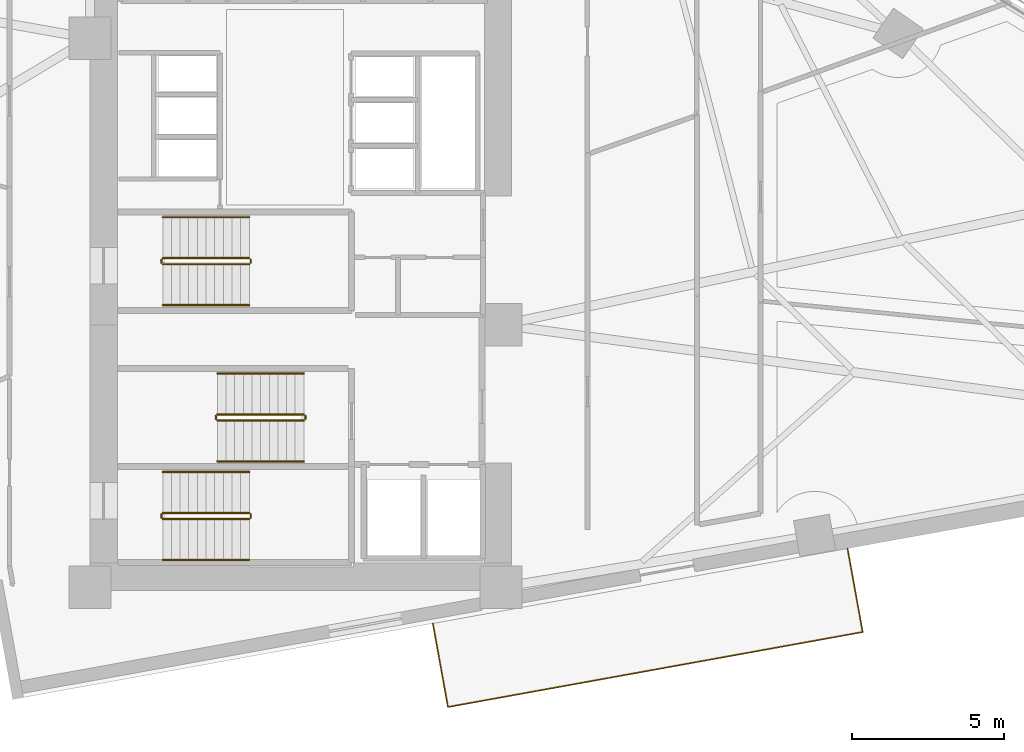
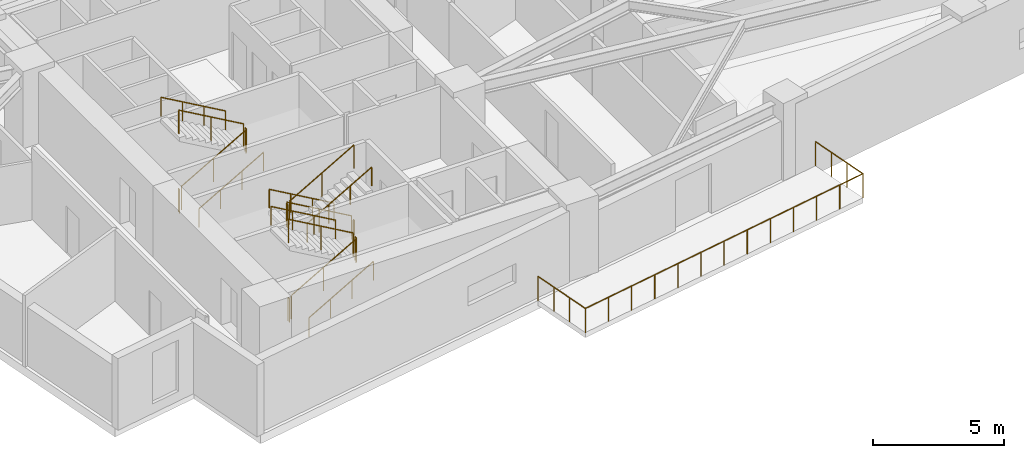
# One storey, part 17 of 18: 19 railings.
"""IFC4 building model written with IfcOpenShell, lengths in metres."""

from ifc_helpers import new_model, si_unit, direction, frame, origin, origin_2d, place, context, subcontext, project, spatial, circle, extrude, material, type_object, element, save


model = new_model("IFC4")

# Units and contexts
model_context = context("Model", 3, precision=1e-05, world=origin(), true_north=direction((0.0, 1.0)))
body_context = subcontext(model_context, "Body", "Model", "MODEL_VIEW")
ifc_project = project(units=[si_unit("LENGTHUNIT", "METRE"), si_unit("AREAUNIT", "SQUARE_METRE"), si_unit("VOLUMEUNIT", "CUBIC_METRE"), si_unit("PLANEANGLEUNIT", "RADIAN"), si_unit("MASSUNIT", "GRAM", prefix="KILO")], contexts=[model_context])

# Site, building, storey
site_placement = place(None, origin())
site = spatial("IfcSite", under=ifc_project, at=site_placement, CompositionType="ELEMENT")
building_placement = place(site_placement, origin())
building = spatial("IfcBuilding", under=site, at=building_placement, Name="Narakoshi Arena Tower", CompositionType="ELEMENT")
storey_placement = place(building_placement, frame((0.0, 0.0, 95.699951171875)))
storey = spatial("IfcBuildingStorey", under=building, at=storey_placement, Name="L25", CompositionType="ELEMENT", Elevation=95.699951171875)

# Railings
ifc_material_1 = material(Name="Clear low-iron laminated structural glass", Category="glass")
railing_type_1 = type_object("IfcRailingType", Name="RL-BAL-1100", PredefinedType="BALUSTRADE", material=ifc_material_1)
railing_1_placement = place(storey_placement, frame((74.39990234375, 36.949951171875, 0.16357421875)))
element("IfcRailing", 1, at=railing_1_placement, inside=storey, type_object=railing_type_1, Name="L25 ST1 stair guard 1", PredefinedType="BALUSTRADE", context=body_context, shape_type="SweptSolid", body=[
    extrude(circle(Radius=0.02392578125, at=origin_2d()), frame((0.0, 0.0, 1.09619140625), z_axis=(0.86721270334, 0.0, 0.497937874806), x_axis=(0.0, 1.0, 0.0)), (0.0, 0.0, 1.0), 3.28662109375),
    extrude(circle(Radius=0.02099609375, at=origin_2d()), origin(), (0.0, 0.0, 1.0), 1.072021484375),
    extrude(circle(Radius=0.02099609375, at=origin_2d()), frame((1.425048828125, 0.0, 0.818359375)), (0.0, 0.0, 1.0), 1.072021484375),
    extrude(circle(Radius=0.02099609375, at=origin_2d()), frame((2.85009765625, 0.0, 1.636474609375)), (0.0, 0.0, 1.0), 1.072021484375),
])
railing_2_placement = place(storey_placement, frame((77.300048828125, 37.0, 1.800048828125)))
element("IfcRailing", 2, at=railing_2_placement, inside=storey, type_object=railing_type_1, Name="L25 ST1 stair guard 2", PredefinedType="BALUSTRADE", context=body_context, shape_type="SweptSolid", body=[
    extrude(circle(Radius=0.02392578125, at=origin_2d()), frame((0.0, 0.0, 1.09619140625), z_axis=(0.0, 1.0, 0.0), x_axis=(-1.0, 0.0, 0.0)), (0.0, 0.0, 1.0), 0.10009765625),
    extrude(circle(Radius=0.02099609375, at=origin_2d()), origin(), (0.0, 0.0, 1.0), 1.072021484375),
    extrude(circle(Radius=0.02099609375, at=origin_2d()), frame((0.0, 0.10009765625, 0.0)), (0.0, 0.0, 1.0), 1.072021484375),
])
railing_3_placement = place(storey_placement, frame((77.25, 37.14990234375, 1.963623046875)))
element("IfcRailing", 3, at=railing_3_placement, inside=storey, type_object=railing_type_1, Name="L25 ST1 stair guard 3", PredefinedType="BALUSTRADE", context=body_context, shape_type="SweptSolid", body=[
    extrude(circle(Radius=0.02392578125, at=origin_2d()), frame((0.0, 0.0, 1.09619140625), z_axis=(-0.86721270334, 0.0, 0.497937874806), x_axis=(0.0, -1.0, 0.0)), (0.0, 0.0, 1.0), 3.28662109375),
    extrude(circle(Radius=0.02099609375, at=origin_2d()), origin(), (0.0, 0.0, 1.0), 1.072021484375),
    extrude(circle(Radius=0.02099609375, at=origin_2d()), frame((-1.425048828125, 0.0, 0.818359375)), (0.0, 0.0, 1.0), 1.072021484375),
    extrude(circle(Radius=0.02099609375, at=origin_2d()), frame((-2.85009765625, 0.0, 1.636474609375)), (0.0, 0.0, 1.0), 1.072021484375),
])
railing_4_placement = place(storey_placement, frame((74.35009765625, 37.0, 0.0)))
element("IfcRailing", 4, at=railing_4_placement, inside=storey, type_object=railing_type_1, Name="L25 ST1 stair guard 4", PredefinedType="BALUSTRADE", context=body_context, shape_type="SweptSolid", body=[
    extrude(circle(Radius=0.02392578125, at=origin_2d()), frame((0.0, 0.0, 1.09619140625), z_axis=(0.0, 1.0, 0.0), x_axis=(-1.0, 0.0, 0.0)), (0.0, 0.0, 1.0), 0.10009765625),
    extrude(circle(Radius=0.02099609375, at=origin_2d()), origin(), (0.0, 0.0, 1.0), 1.072021484375),
    extrude(circle(Radius=0.02099609375, at=origin_2d()), frame((0.0, 0.10009765625, 0.0)), (0.0, 0.0, 1.0), 1.072021484375),
])
railing_5_placement = place(storey_placement, frame((79.050048828125, 40.39990234375, 0.16357421875)))
element("IfcRailing", 5, at=railing_5_placement, inside=storey, type_object=railing_type_1, Name="L25 ST2 stair guard 1", PredefinedType="BALUSTRADE", context=body_context, shape_type="SweptSolid", body=[
    extrude(circle(Radius=0.02392578125, at=origin_2d()), frame((0.0, 0.0, 1.09619140625), z_axis=(-0.86721270334, 0.0, 0.497937874806), x_axis=(0.0, -1.0, 0.0)), (0.0, 0.0, 1.0), 3.28662109375),
    extrude(circle(Radius=0.02099609375, at=origin_2d()), origin(), (0.0, 0.0, 1.0), 1.072021484375),
    extrude(circle(Radius=0.02099609375, at=origin_2d()), frame((-1.425048828125, 0.0, 0.818359375)), (0.0, 0.0, 1.0), 1.072021484375),
    extrude(circle(Radius=0.02099609375, at=origin_2d()), frame((-2.85009765625, 0.0, 1.636474609375)), (0.0, 0.0, 1.0), 1.072021484375),
])
railing_6_placement = place(storey_placement, frame((76.14990234375, 40.35009765625, 1.800048828125)))
element("IfcRailing", 6, at=railing_6_placement, inside=storey, type_object=railing_type_1, Name="L25 ST2 stair guard 2", PredefinedType="BALUSTRADE", context=body_context, shape_type="SweptSolid", body=[
    extrude(circle(Radius=0.02392578125, at=origin_2d()), frame((0.0, 0.0, 1.09619140625), z_axis=(0.0, -1.0, 0.0), x_axis=(1.0, 0.0, 0.0)), (0.0, 0.0, 1.0), 0.10009765625),
    extrude(circle(Radius=0.02099609375, at=origin_2d()), origin(), (0.0, 0.0, 1.0), 1.072021484375),
    extrude(circle(Radius=0.02099609375, at=origin_2d()), frame((0.0, -0.10009765625, 0.0)), (0.0, 0.0, 1.0), 1.072021484375),
])
railing_7_placement = place(storey_placement, frame((76.199951171875, 40.199951171875, 1.963623046875)))
element("IfcRailing", 7, at=railing_7_placement, inside=storey, type_object=railing_type_1, Name="L25 ST2 stair guard 3", PredefinedType="BALUSTRADE", context=body_context, shape_type="SweptSolid", body=[
    extrude(circle(Radius=0.02392578125, at=origin_2d()), frame((0.0, 0.0, 1.09619140625), z_axis=(0.86721270334, 0.0, 0.497937874806), x_axis=(0.0, 1.0, 0.0)), (0.0, 0.0, 1.0), 3.28662109375),
    extrude(circle(Radius=0.02099609375, at=origin_2d()), origin(), (0.0, 0.0, 1.0), 1.072021484375),
    extrude(circle(Radius=0.02099609375, at=origin_2d()), frame((1.425048828125, 0.0, 0.818359375)), (0.0, 0.0, 1.0), 1.072021484375),
    extrude(circle(Radius=0.02099609375, at=origin_2d()), frame((2.85009765625, 0.0, 1.636474609375)), (0.0, 0.0, 1.0), 1.072021484375),
])
railing_8_placement = place(storey_placement, frame((79.10009765625, 40.35009765625, 0.0)))
element("IfcRailing", 8, at=railing_8_placement, inside=storey, type_object=railing_type_1, Name="L25 ST2 stair guard 4", PredefinedType="BALUSTRADE", context=body_context, shape_type="SweptSolid", body=[
    extrude(circle(Radius=0.02392578125, at=origin_2d()), frame((0.0, 0.0, 1.09619140625), z_axis=(0.0, -1.0, 0.0), x_axis=(1.0, 0.0, 0.0)), (0.0, 0.0, 1.0), 0.10009765625),
    extrude(circle(Radius=0.02099609375, at=origin_2d()), origin(), (0.0, 0.0, 1.0), 1.072021484375),
    extrude(circle(Radius=0.02099609375, at=origin_2d()), frame((0.0, -0.10009765625, 0.0)), (0.0, 0.0, 1.0), 1.072021484375),
])
railing_9_placement = place(storey_placement, frame((74.39990234375, 45.35009765625, 0.16357421875)))
element("IfcRailing", 9, at=railing_9_placement, inside=storey, type_object=railing_type_1, Name="L25 ST3 stair guard 1", PredefinedType="BALUSTRADE", context=body_context, shape_type="SweptSolid", body=[
    extrude(circle(Radius=0.02392578125, at=origin_2d()), frame((0.0, 0.0, 1.09619140625), z_axis=(0.86721270334, 0.0, 0.497937874806), x_axis=(0.0, 1.0, 0.0)), (0.0, 0.0, 1.0), 3.28662109375),
    extrude(circle(Radius=0.02099609375, at=origin_2d()), origin(), (0.0, 0.0, 1.0), 1.072021484375),
    extrude(circle(Radius=0.02099609375, at=origin_2d()), frame((1.425048828125, 0.0, 0.818359375)), (0.0, 0.0, 1.0), 1.072021484375),
    extrude(circle(Radius=0.02099609375, at=origin_2d()), frame((2.85009765625, 0.0, 1.636474609375)), (0.0, 0.0, 1.0), 1.072021484375),
])
railing_10_placement = place(storey_placement, frame((77.300048828125, 45.39990234375, 1.800048828125)))
element("IfcRailing", 10, at=railing_10_placement, inside=storey, type_object=railing_type_1, Name="L25 ST3 stair guard 2", PredefinedType="BALUSTRADE", context=body_context, shape_type="SweptSolid", body=[
    extrude(circle(Radius=0.02392578125, at=origin_2d()), frame((0.0, 0.0, 1.09619140625), z_axis=(0.0, 1.0, 0.0), x_axis=(-1.0, 0.0, 0.0)), (0.0, 0.0, 1.0), 0.10009765625),
    extrude(circle(Radius=0.02099609375, at=origin_2d()), origin(), (0.0, 0.0, 1.0), 1.072021484375),
    extrude(circle(Radius=0.02099609375, at=origin_2d()), frame((0.0, 0.10009765625, 0.0)), (0.0, 0.0, 1.0), 1.072021484375),
])
railing_11_placement = place(storey_placement, frame((77.25, 45.550048828125, 1.963623046875)))
element("IfcRailing", 11, at=railing_11_placement, inside=storey, type_object=railing_type_1, Name="L25 ST3 stair guard 3", PredefinedType="BALUSTRADE", context=body_context, shape_type="SweptSolid", body=[
    extrude(circle(Radius=0.02392578125, at=origin_2d()), frame((0.0, 0.0, 1.09619140625), z_axis=(-0.86721270334, 0.0, 0.497937874806), x_axis=(0.0, -1.0, 0.0)), (0.0, 0.0, 1.0), 3.28662109375),
    extrude(circle(Radius=0.02099609375, at=origin_2d()), origin(), (0.0, 0.0, 1.0), 1.072021484375),
    extrude(circle(Radius=0.02099609375, at=origin_2d()), frame((-1.425048828125, 0.0, 0.818359375)), (0.0, 0.0, 1.0), 1.072021484375),
    extrude(circle(Radius=0.02099609375, at=origin_2d()), frame((-2.85009765625, 0.0, 1.636474609375)), (0.0, 0.0, 1.0), 1.072021484375),
])
railing_12_placement = place(storey_placement, frame((74.35009765625, 45.39990234375, 0.0)))
element("IfcRailing", 12, at=railing_12_placement, inside=storey, type_object=railing_type_1, Name="L25 ST3 stair guard 4", PredefinedType="BALUSTRADE", context=body_context, shape_type="SweptSolid", body=[
    extrude(circle(Radius=0.02392578125, at=origin_2d()), frame((0.0, 0.0, 1.09619140625), z_axis=(0.0, 1.0, 0.0), x_axis=(-1.0, 0.0, 0.0)), (0.0, 0.0, 1.0), 0.10009765625),
    extrude(circle(Radius=0.02099609375, at=origin_2d()), origin(), (0.0, 0.0, 1.0), 1.072021484375),
    extrude(circle(Radius=0.02099609375, at=origin_2d()), frame((0.0, 0.10009765625, 0.0)), (0.0, 0.0, 1.0), 1.072021484375),
])
ifc_material_2 = material(Name="Brushed bronze stainless steel", Category="steel")
railing_type_2 = type_object("IfcRailingType", Name="RL-GRD-1150", PredefinedType="GUARDRAIL", material=ifc_material_2)
railing_13_placement = place(storey_placement, frame((83.302001953125, 33.505615234375, 0.0)))
element("IfcRailing", 13, at=railing_13_placement, inside=storey, type_object=railing_type_2, Name="L25 Setback Sky Terrace Guardrail", PredefinedType="GUARDRAIL", context=body_context, shape_type="SweptSolid", body=[
    extrude(circle(Radius=0.02392578125, at=origin_2d()), frame((0.0, 0.0, 1.1259765625), z_axis=(0.177956948177, -0.984038273948, 0.0), x_axis=(0.984038273948, 0.177956948177, 0.0)), (0.0, 0.0, 1.0), 2.800048828125),
    extrude(circle(Radius=0.02392578125, at=origin_2d()), frame((0.498291015625, -2.75537109375, 1.1259765625), z_axis=(0.984043715955, 0.177926853201, 0.0), x_axis=(-0.177926853201, 0.984043715955, 0.0)), (0.0, 0.0, 1.0), 13.89697265625),
    extrude(circle(Radius=0.02392578125, at=origin_2d()), frame((14.173583984375, -0.28271484375, 1.1259765625), z_axis=(-0.177941680878, 0.984041034818, 0.0), x_axis=(-0.984041034818, -0.177941680878, 0.0)), (0.0, 0.0, 1.0), 2.80029296875),
    extrude(circle(Radius=0.02099609375, at=origin_2d()), origin(), (0.0, 0.0, 1.0), 1.101806640625),
    extrude(circle(Radius=0.02099609375, at=origin_2d()), frame((0.166015625, -0.91845703125, 0.0)), (0.0, 0.0, 1.0), 1.101806640625),
    extrude(circle(Radius=0.02099609375, at=origin_2d()), frame((0.332275390625, -1.8369140625, 0.0)), (0.0, 0.0, 1.0), 1.101806640625),
    extrude(circle(Radius=0.02099609375, at=origin_2d()), frame((0.498291015625, -2.75537109375, 0.0)), (0.0, 0.0, 1.0), 1.101806640625),
    extrude(circle(Radius=0.02099609375, at=origin_2d()), frame((1.637939453125, -2.54931640625, 0.0)), (0.0, 0.0, 1.0), 1.101806640625),
    extrude(circle(Radius=0.02099609375, at=origin_2d()), frame((2.777587890625, -2.34326171875, 0.0)), (0.0, 0.0, 1.0), 1.101806640625),
    extrude(circle(Radius=0.02099609375, at=origin_2d()), frame((3.9169921875, -2.13720703125, 0.0)), (0.0, 0.0, 1.0), 1.101806640625),
    extrude(circle(Radius=0.02099609375, at=origin_2d()), frame((5.056640625, -1.93115234375, 0.0)), (0.0, 0.0, 1.0), 1.101806640625),
    extrude(circle(Radius=0.02099609375, at=origin_2d()), frame((6.1962890625, -1.72509765625, 0.0)), (0.0, 0.0, 1.0), 1.101806640625),
    extrude(circle(Radius=0.02099609375, at=origin_2d()), frame((7.3359375, -1.51904296875, 0.0)), (0.0, 0.0, 1.0), 1.101806640625),
    extrude(circle(Radius=0.02099609375, at=origin_2d()), frame((8.4755859375, -1.31298828125, 0.0)), (0.0, 0.0, 1.0), 1.101806640625),
    extrude(circle(Radius=0.02099609375, at=origin_2d()), frame((9.615234375, -1.10693359375, 0.0)), (0.0, 0.0, 1.0), 1.101806640625),
    extrude(circle(Radius=0.02099609375, at=origin_2d()), frame((10.7548828125, -0.90087890625, 0.0)), (0.0, 0.0, 1.0), 1.101806640625),
    extrude(circle(Radius=0.02099609375, at=origin_2d()), frame((11.894287109375, -0.69482421875, 0.0)), (0.0, 0.0, 1.0), 1.101806640625),
    extrude(circle(Radius=0.02099609375, at=origin_2d()), frame((13.033935546875, -0.48876953125, 0.0)), (0.0, 0.0, 1.0), 1.101806640625),
    extrude(circle(Radius=0.02099609375, at=origin_2d()), frame((14.173583984375, -0.28271484375, 0.0)), (0.0, 0.0, 1.0), 1.101806640625),
    extrude(circle(Radius=0.02099609375, at=origin_2d()), frame((14.007568359375, 0.6357421875, 0.0)), (0.0, 0.0, 1.0), 1.101806640625),
    extrude(circle(Radius=0.02099609375, at=origin_2d()), frame((13.84130859375, 1.554443359375, 0.0)), (0.0, 0.0, 1.0), 1.101806640625),
    extrude(circle(Radius=0.02099609375, at=origin_2d()), frame((13.67529296875, 2.472900390625, 0.0)), (0.0, 0.0, 1.0), 1.101806640625),
])
railing_type_3 = type_object("IfcRailingType", Name="RL-HND-900", PredefinedType="HANDRAIL", material=ifc_material_2)
railing_14_placement = place(storey_placement, frame((74.39990234375, 35.60009765625, 0.16357421875)))
element("IfcRailing", 14, at=railing_14_placement, inside=storey, type_object=railing_type_3, Name="L25 ST1 stair handrail 1", PredefinedType="HANDRAIL", context=body_context, shape_type="SweptSolid", body=[
    extrude(circle(Radius=0.02392578125, at=origin_2d()), frame((0.0, 0.0, 0.8759765625), z_axis=(0.86721270334, 0.0, 0.497937874806), x_axis=(0.0, 1.0, 0.0)), (0.0, 0.0, 1.0), 3.28662109375),
    extrude(circle(Radius=0.02099609375, at=origin_2d()), origin(), (0.0, 0.0, 1.0), 0.851806640625),
    extrude(circle(Radius=0.02099609375, at=origin_2d()), frame((0.949951171875, 0.0, 0.54541015625)), (0.0, 0.0, 1.0), 0.851806640625),
    extrude(circle(Radius=0.02099609375, at=origin_2d()), frame((1.900146484375, 0.0, 1.091064453125)), (0.0, 0.0, 1.0), 0.851806640625),
    extrude(circle(Radius=0.02099609375, at=origin_2d()), frame((2.85009765625, 0.0, 1.636474609375)), (0.0, 0.0, 1.0), 0.851806640625),
])
for number, where, name in (
    (15, (77.25, 38.5, 1.963623046875), "L25 ST1 stair handrail 2"),
    (16, (79.050048828125, 41.75, 0.16357421875), "L25 ST2 stair handrail 1"),
):
    element("IfcRailing", number, at=place(storey_placement, frame(where)), inside=storey, type_object=railing_type_3, Name=name, PredefinedType="HANDRAIL", context=body_context, shape_type="SweptSolid", body=[
        extrude(circle(Radius=0.02392578125, at=origin_2d()), frame((0.0, 0.0, 0.8759765625), z_axis=(-0.86721270334, 0.0, 0.497937874806), x_axis=(0.0, -1.0, 0.0)), (0.0, 0.0, 1.0), 3.28662109375),
        extrude(circle(Radius=0.02099609375, at=origin_2d()), origin(), (0.0, 0.0, 1.0), 0.851806640625),
        extrude(circle(Radius=0.02099609375, at=origin_2d()), frame((-0.949951171875, 0.0, 0.54541015625)), (0.0, 0.0, 1.0), 0.851806640625),
        extrude(circle(Radius=0.02099609375, at=origin_2d()), frame((-1.900146484375, 0.0, 1.091064453125)), (0.0, 0.0, 1.0), 0.851806640625),
        extrude(circle(Radius=0.02099609375, at=origin_2d()), frame((-2.85009765625, 0.0, 1.636474609375)), (0.0, 0.0, 1.0), 0.851806640625),
    ])
for number, where, name in (
    (17, (76.199951171875, 38.85009765625, 1.963623046875), "L25 ST2 stair handrail 2"),
    (18, (74.39990234375, 44.0, 0.16357421875), "L25 ST3 stair handrail 1"),
):
    element("IfcRailing", number, at=place(storey_placement, frame(where)), inside=storey, type_object=railing_type_3, Name=name, PredefinedType="HANDRAIL", context=body_context, shape_type="SweptSolid", body=[
        extrude(circle(Radius=0.02392578125, at=origin_2d()), frame((0.0, 0.0, 0.8759765625), z_axis=(0.86721270334, 0.0, 0.497937874806), x_axis=(0.0, 1.0, 0.0)), (0.0, 0.0, 1.0), 3.28662109375),
        extrude(circle(Radius=0.02099609375, at=origin_2d()), origin(), (0.0, 0.0, 1.0), 0.851806640625),
        extrude(circle(Radius=0.02099609375, at=origin_2d()), frame((0.949951171875, 0.0, 0.54541015625)), (0.0, 0.0, 1.0), 0.851806640625),
        extrude(circle(Radius=0.02099609375, at=origin_2d()), frame((1.900146484375, 0.0, 1.091064453125)), (0.0, 0.0, 1.0), 0.851806640625),
        extrude(circle(Radius=0.02099609375, at=origin_2d()), frame((2.85009765625, 0.0, 1.636474609375)), (0.0, 0.0, 1.0), 0.851806640625),
    ])
railing_15_placement = place(storey_placement, frame((77.25, 46.89990234375, 1.963623046875)))
element("IfcRailing", 19, at=railing_15_placement, inside=storey, type_object=railing_type_3, Name="L25 ST3 stair handrail 2", PredefinedType="HANDRAIL", context=body_context, shape_type="SweptSolid", body=[
    extrude(circle(Radius=0.02392578125, at=origin_2d()), frame((0.0, 0.0, 0.8759765625), z_axis=(-0.86721270334, 0.0, 0.497937874806), x_axis=(0.0, -1.0, 0.0)), (0.0, 0.0, 1.0), 3.28662109375),
    extrude(circle(Radius=0.02099609375, at=origin_2d()), origin(), (0.0, 0.0, 1.0), 0.851806640625),
    extrude(circle(Radius=0.02099609375, at=origin_2d()), frame((-0.949951171875, 0.0, 0.54541015625)), (0.0, 0.0, 1.0), 0.851806640625),
    extrude(circle(Radius=0.02099609375, at=origin_2d()), frame((-1.900146484375, 0.0, 1.091064453125)), (0.0, 0.0, 1.0), 0.851806640625),
    extrude(circle(Radius=0.02099609375, at=origin_2d()), frame((-2.85009765625, 0.0, 1.636474609375)), (0.0, 0.0, 1.0), 0.851806640625),
])

save(model, "model.ifc")
